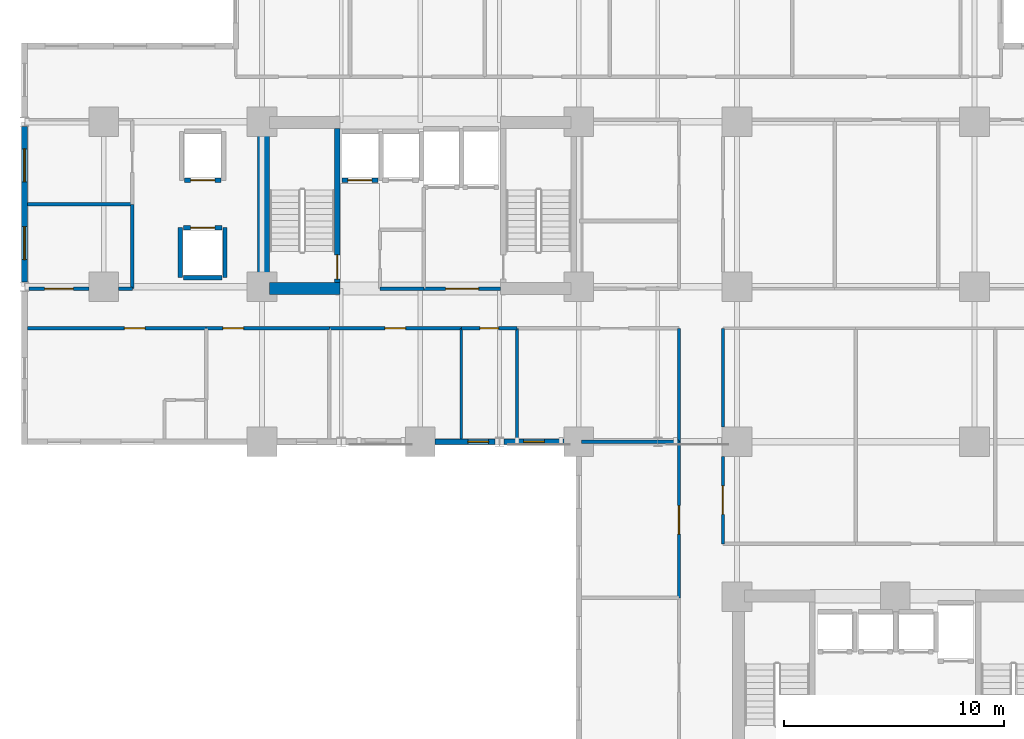
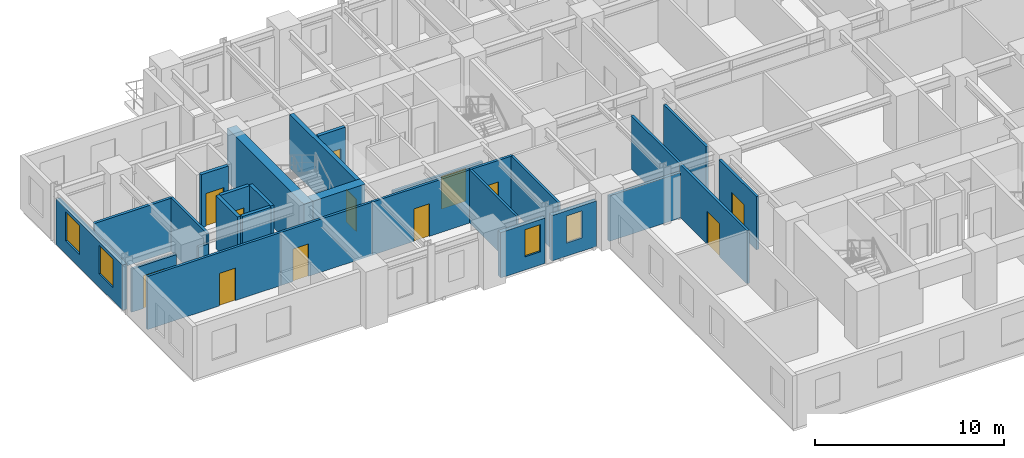
# One storey, part 3 of 11: 29 walls, 12 doors, 4 windows, 16 openings.
"""IFC4 building model written with IfcOpenShell, lengths in metres."""

from ifc_helpers import new_model, si_unit, direction, frame, frame_2d, origin, place, context, subcontext, project, spatial, rectangle, extrude, material, layer, layer_set, type_object, element, fill, save


model = new_model("IFC4")

# Units and contexts
model_context = context("Model", 3, precision=1e-05, world=origin(), true_north=direction((0.0, 1.0)))
body_context = subcontext(model_context, "Body", "Model", "MODEL_VIEW")
ifc_project = project(units=[si_unit("LENGTHUNIT", "METRE"), si_unit("AREAUNIT", "SQUARE_METRE"), si_unit("VOLUMEUNIT", "CUBIC_METRE"), si_unit("PLANEANGLEUNIT", "RADIAN"), si_unit("MASSUNIT", "GRAM", prefix="KILO")], contexts=[model_context])

# Site, building, storey
site_placement = place(None, origin())
site = spatial("IfcSite", under=ifc_project, at=site_placement, CompositionType="ELEMENT")
building_placement = place(site_placement, origin())
building = spatial("IfcBuilding", under=site, at=building_placement, Name="Kaliganga Portal Commons", CompositionType="ELEMENT")
storey_placement = place(building_placement, frame((0.0, 0.0, 66.0)))
storey = spatial("IfcBuildingStorey", under=building, at=storey_placement, Name="L16", CompositionType="ELEMENT", Elevation=66.0)

# Walls
ifc_material_1 = material(Name="Concrete C60/75", Category="concrete")
ifc_layer_1 = layer(ifc_material_1, 0.550048828125)
ifc_layer_set_1 = layer_set([ifc_layer_1], Name="Concrete C60/75")
wall_type_1 = type_object("IfcWallType", Name="WL-CORE-550", PredefinedType="SHEAR", material=ifc_layer_set_1)
wall_1_placement = place(storey_placement, frame((14.47509765625, 28.300048828125, 0.0), z_axis=(0.0, 0.0, 1.0), x_axis=(0.0, 1.0, 0.0)))
element("IfcWall", 1, at=wall_1_placement, inside=storey, type_object=wall_type_1, Name="Core A West Shear Wall L16", PredefinedType="SHEAR", context=body_context, shape_type="SweptSolid", body=[
    extrude(rectangle(XDim=8.099853515625, YDim=0.550048828125, at=frame_2d((4.0498046875, 0.0))), origin(), (0.0, 0.0, 1.0), 3.449951171875),
])
wall_2_placement = place(storey_placement, frame((14.75, 28.574951171875, 0.0), z_axis=(0.0, 0.0, 1.0), x_axis=(1.0, 0.0, 0.0)))
element("IfcWall", 2, at=wall_2_placement, inside=storey, type_object=wall_type_1, Name="Core A S-West Shear Wall L16", PredefinedType="SHEAR", context=body_context, shape_type="SweptSolid", body=[
    extrude(rectangle(XDim=3.199951171875, YDim=0.550048828125, at=frame_2d((1.60009765625, 0.0))), origin(), (0.0, 0.0, 1.0), 3.449951171875),
])

# Wall, openings, windows
ifc_material_2 = material(Name="Insulated Aluminium-Clad Spandrel Assembly", Category="aluminium")
ifc_layer_2 = layer(ifc_material_2, 0.260009765625)
ifc_layer_set_2 = layer_set([ifc_layer_2], Name="Insulated Aluminium-Clad Spandrel Assembly")
wall_type_2 = type_object("IfcWallType", Name="WL-EXT-SPAND-260", PredefinedType="STANDARD", material=ifc_layer_set_2)
wall_3_placement = place(storey_placement, frame((3.60009765625, 28.8740234375, 0.0), z_axis=(0.0, 0.0, 1.0), x_axis=(0.0, 1.0, 0.0)))
wall_3 = element("IfcWall", 3, at=wall_3_placement, inside=storey, type_object=wall_type_2, Name="Exterior Envelope Wall L16 P1-E09-S2", PredefinedType="STANDARD", context=body_context, shape_type="SweptSolid", body=[
    extrude(rectangle(XDim=7.052001953125, YDim=0.260009765625, at=frame_2d((3.52587890625, 0.0))), origin(), (0.0, 0.0, 1.0), 2.929931640625),
])
opening_1_placement = place(wall_3_placement, frame((1.012939453125, 0.0, 0.85009765625)))
opening_1 = element("IfcOpeningElement", 4, at=opening_1_placement, cuts=wall_3, Name="Opening W-02", PredefinedType="OPENING", context=body_context, shape_type="SweptSolid", body=[
    extrude(rectangle(XDim=1.5, YDim=1.85009765625, at=frame_2d((0.75, 0.925048828125))), frame((0.0, 0.14013671875, 0.0), z_axis=(0.0, -1.0, 0.0), x_axis=(1.0, 0.0, 0.0)), (0.0, 0.0, 1.0), 0.280029296875),
])
opening_2_placement = place(wall_3_placement, frame((4.5390625, 0.0, 0.85009765625)))
opening_2 = element("IfcOpeningElement", 5, at=opening_2_placement, cuts=wall_3, Name="Opening W-02", PredefinedType="OPENING", context=body_context, shape_type="SweptSolid", body=[
    extrude(rectangle(XDim=1.5, YDim=1.85009765625, at=frame_2d((0.75, 0.925048828125))), frame((0.0, 0.14013671875, 0.0), z_axis=(0.0, -1.0, 0.0), x_axis=(1.0, 0.0, 0.0)), (0.0, 0.0, 1.0), 0.280029296875),
])
ifc_material_3 = material(Name="Thermally Broken Aluminium and Low-E Double Glazing", Category="aluminium")
window_type_1 = type_object("IfcWindowType", Name="WIN-STD-1500", PartitioningType="DOUBLE_PANEL_VERTICAL", PredefinedType="WINDOW", material=ifc_material_3)
window_1_placement = place(opening_1_placement, origin())
window_1 = element("IfcWindow", 6, at=window_1_placement, inside=storey, type_object=window_type_1, Name="Facade Window L16-P1E09S2-00", OverallHeight=1.85009765625, OverallWidth=1.5, PartitioningType="SINGLE_PANEL", PredefinedType="WINDOW", context=body_context, shape_type="SweptSolid", body=[
    extrude(rectangle(XDim=1.5, YDim=1.85009765625, at=frame_2d((0.75, 0.925048828125))), frame((0.0, 0.030029296875, 0.0), z_axis=(0.0, -1.0, 0.0), x_axis=(1.0, 0.0, 0.0)), (0.0, 0.0, 1.0), 0.06005859375),
])
fill(opening_1, window_1)
window_2_placement = place(opening_2_placement, origin())
window_2 = element("IfcWindow", 7, at=window_2_placement, inside=storey, type_object=window_type_1, Name="Facade Window L16-P1E09S2-01", OverallHeight=1.85009765625, OverallWidth=1.5, PartitioningType="SINGLE_PANEL", PredefinedType="WINDOW", context=body_context, shape_type="SweptSolid", body=[
    extrude(rectangle(XDim=1.5, YDim=1.85009765625, at=frame_2d((0.75, 0.925048828125))), frame((0.0, 0.030029296875, 0.0), z_axis=(0.0, -1.0, 0.0), x_axis=(1.0, 0.0, 0.0)), (0.0, 0.0, 1.0), 0.06005859375),
])
fill(opening_2, window_2)

# Wall, opening, window
wall_4_placement = place(storey_placement, frame((24.990966796875, 21.60009765625, 0.0), z_axis=(0.0, 0.0, 1.0), x_axis=(-1.0, 0.0, 0.0)))
wall_4 = element("IfcWall", 8, at=wall_4_placement, inside=storey, type_object=wall_type_2, Name="Exterior Envelope Wall L16 P1-E10-S4", PredefinedType="STANDARD", context=body_context, shape_type="SweptSolid", body=[
    extrude(rectangle(XDim=2.715087890625, YDim=0.260009765625, at=frame_2d((1.357421875, 0.0))), origin(), (0.0, 0.0, 1.0), 2.929931640625),
])
opening_3_placement = place(wall_4_placement, frame((0.28515625, 0.0, 0.85009765625)))
opening_3 = element("IfcOpeningElement", 9, at=opening_3_placement, cuts=wall_4, Name="Opening W-04", PredefinedType="OPENING", context=body_context, shape_type="SweptSolid", body=[
    extrude(rectangle(XDim=0.949951171875, YDim=1.75, at=frame_2d((0.47509765625, 0.875))), frame((0.0, 0.14013671875, 0.0), z_axis=(0.0, -1.0, 0.0), x_axis=(1.0, 0.0, 0.0)), (0.0, 0.0, 1.0), 0.280029296875),
])
window_type_2 = type_object("IfcWindowType", Name="WIN-NARROW-950", PartitioningType="SINGLE_PANEL", PredefinedType="WINDOW", material=ifc_material_3)
window_3_placement = place(opening_3_placement, origin())
window_3 = element("IfcWindow", 10, at=window_3_placement, inside=storey, type_object=window_type_2, Name="Facade Window L16-P1E10S4-N3", OverallHeight=1.75, OverallWidth=0.949951171875, PartitioningType="SINGLE_PANEL", PredefinedType="WINDOW", context=body_context, shape_type="SweptSolid", body=[
    extrude(rectangle(XDim=0.949951171875, YDim=1.75, at=frame_2d((0.47509765625, 0.875))), frame((0.0, 0.030029296875, 0.0), z_axis=(0.0, -1.0, 0.0), x_axis=(1.0, 0.0, 0.0)), (0.0, 0.0, 1.0), 0.06005859375),
])
fill(opening_3, window_3)

wall_5_placement = place(storey_placement, frame((28.1240234375, 21.60009765625, 0.0), z_axis=(0.0, 0.0, 1.0), x_axis=(-1.0, 0.0, 0.0)))
wall_5 = element("IfcWall", 11, at=wall_5_placement, inside=storey, type_object=wall_type_2, Name="Exterior Envelope Wall L16 P1-E10-S5", PredefinedType="STANDARD", context=body_context, shape_type="SweptSolid", body=[
    extrude(rectangle(XDim=2.715087890625, YDim=0.260009765625, at=frame_2d((1.357421875, 0.0))), origin(), (0.0, 0.0, 1.0), 2.929931640625),
])
opening_4_placement = place(wall_5_placement, frame((0.882568359375, 0.0, 0.85009765625)))
opening_4 = element("IfcOpeningElement", 12, at=opening_4_placement, cuts=wall_5, Name="Opening W-04", PredefinedType="OPENING", context=body_context, shape_type="SweptSolid", body=[
    extrude(rectangle(XDim=0.949951171875, YDim=1.75, at=frame_2d((0.47509765625, 0.875))), frame((0.0, 0.14013671875, 0.0), z_axis=(0.0, -1.0, 0.0), x_axis=(1.0, 0.0, 0.0)), (0.0, 0.0, 1.0), 0.280029296875),
])
window_4_placement = place(opening_4_placement, origin())
window_4 = element("IfcWindow", 13, at=window_4_placement, inside=storey, type_object=window_type_2, Name="Facade Window L16-P1E10S5-00", OverallHeight=1.75, OverallWidth=0.949951171875, PartitioningType="SINGLE_PANEL", PredefinedType="WINDOW", context=body_context, shape_type="SweptSolid", body=[
    extrude(rectangle(XDim=0.949951171875, YDim=1.75, at=frame_2d((0.47509765625, 0.875))), frame((0.0, 0.030029296875, 0.0), z_axis=(0.0, -1.0, 0.0), x_axis=(1.0, 0.0, 0.0)), (0.0, 0.0, 1.0), 0.06005859375),
])
fill(opening_4, window_4)

# Wall, opening, door
ifc_material_4 = material(Name="Fire-Rated Gypsum Board on Steel Stud", Category="steel")
ifc_layer_3 = layer(ifc_material_4, 0.14990234375)
ifc_layer_set_3 = layer_set([ifc_layer_3], Name="Fire-Rated Gypsum Board on Steel Stud")
wall_type_3 = type_object("IfcWallType", Name="WL-PART-CORR-150", PredefinedType="PARTITIONING", material=ifc_layer_set_3)
wall_6_placement = place(storey_placement, frame((35.360107421875, 16.9599609375, 0.0), z_axis=(0.0, 0.0, 1.0), x_axis=(0.0, 1.0, 0.0)))
wall_6 = element("IfcWall", 14, at=wall_6_placement, inside=storey, type_object=wall_type_3, Name="Interior Partition L16-004", PredefinedType="PARTITIONING", context=body_context, shape_type="SweptSolid", body=[
    extrude(rectangle(XDim=3.965087890625, YDim=0.14990234375, at=frame_2d((1.982421875, 0.0))), origin(), (0.0, 0.0, 1.0), 3.429931640625),
])
opening_5_placement = place(wall_6_placement, frame((1.33251953125, 0.0, 0.0)))
opening_5 = element("IfcOpeningElement", 15, at=opening_5_placement, cuts=wall_6, Name="Opening RD-03", PredefinedType="OPENING", context=body_context, shape_type="SweptSolid", body=[
    extrude(rectangle(XDim=1.300048828125, YDim=2.1201171875, at=frame_2d((0.64990234375, 1.06005859375))), frame((0.0, 0.0849609375, 0.0), z_axis=(0.0, -1.0, 0.0), x_axis=(1.0, 0.0, 0.0)), (0.0, 0.0, 1.0), 0.169921875),
])
ifc_material_5 = material(Name="Glazed Timber Seminar Vision Door", Category="wood")
door_type_1 = type_object("IfcDoorType", Name="DR-STUDY-1300", OperationType="DOUBLE_DOOR_SINGLE_SWING", PredefinedType="DOOR", material=ifc_material_5)
door_1_placement = place(opening_5_placement, origin())
door_1 = element("IfcDoor", 16, at=door_1_placement, inside=storey, type_object=door_type_1, Name="Interior Door L16-BM01", OperationType="DOUBLE_DOOR_SINGLE_SWING", OverallHeight=2.1201171875, OverallWidth=1.300048828125, PredefinedType="DOOR", context=body_context, shape_type="SweptSolid", body=[
    extrude(rectangle(XDim=1.300048828125, YDim=2.1201171875, at=frame_2d((0.64990234375, 1.06005859375))), frame((0.0, 0.02490234375, 0.0), z_axis=(0.0, -1.0, 0.0), x_axis=(1.0, 0.0, 0.0)), (0.0, 0.0, 1.0), 0.050048828125),
])
fill(opening_5, door_1)

# Wall
wall_7_placement = place(storey_placement, frame((35.360107421875, 22.27490234375, 0.0), z_axis=(0.0, 0.0, 1.0), x_axis=(0.0, 1.0, 0.0)))
element("IfcWall", 17, at=wall_7_placement, inside=storey, type_object=wall_type_3, Name="Interior Partition L16-005", PredefinedType="PARTITIONING", context=body_context, shape_type="SweptSolid", body=[
    extrude(rectangle(XDim=4.485107421875, YDim=0.14990234375, at=frame_2d((2.24267578125, 0.0))), origin(), (0.0, 0.0, 1.0), 3.429931640625),
])

# Wall, opening, door
wall_8_placement = place(storey_placement, frame((3.73193359375, 26.760009765625, 0.0), z_axis=(0.0, 0.0, 1.0), x_axis=(1.0, 0.0, 0.0)))
wall_8 = element("IfcWall", 18, at=wall_8_placement, inside=storey, type_object=wall_type_3, Name="Interior Partition L16-007", PredefinedType="PARTITIONING", context=body_context, shape_type="SweptSolid", body=[
    extrude(rectangle(XDim=8.128173828125, YDim=0.14990234375, at=frame_2d((4.06396484375, 0.0))), origin(), (0.0, 0.0, 1.0), 3.429931640625),
])
opening_6_placement = place(wall_8_placement, frame((4.40185546875, 0.0, 0.0)))
opening_6 = element("IfcOpeningElement", 19, at=opening_6_placement, cuts=wall_8, Name="Opening UD-01", PredefinedType="OPENING", context=body_context, shape_type="SweptSolid", body=[
    extrude(rectangle(XDim=0.949951171875, YDim=2.10009765625, at=frame_2d((0.47509765625, 1.050048828125))), frame((0.0, 0.0849609375, 0.0), z_axis=(0.0, -1.0, 0.0), x_axis=(1.0, 0.0, 0.0)), (0.0, 0.0, 1.0), 0.169921875),
])
ifc_material_6 = material(Name="Solid-Core Timber Acoustic Fire Door", Category="wood")
door_type_2 = type_object("IfcDoorType", Name="DR-UNIT-950", OperationType="NOTDEFINED", PredefinedType="DOOR", material=ifc_material_6)
door_2_placement = place(opening_6_placement, origin())
door_2 = element("IfcDoor", 20, at=door_2_placement, inside=storey, type_object=door_type_2, Name="Interior Door L16-AS01", OperationType="SINGLE_SWING_LEFT", OverallHeight=2.10009765625, OverallWidth=0.949951171875, PredefinedType="DOOR", context=body_context, shape_type="SweptSolid", body=[
    extrude(rectangle(XDim=0.949951171875, YDim=2.10009765625, at=frame_2d((0.47509765625, 1.050048828125))), frame((0.0, 0.02490234375, 0.0), z_axis=(0.0, -1.0, 0.0), x_axis=(1.0, 0.0, 0.0)), (0.0, 0.0, 1.0), 0.050048828125),
])
fill(opening_6, door_2)

wall_9_placement = place(storey_placement, frame((33.360107421875, 14.5, 0.0), z_axis=(0.0, 0.0, 1.0), x_axis=(0.0, 1.0, 0.0)))
wall_9 = element("IfcWall", 21, at=wall_9_placement, inside=storey, type_object=wall_type_3, Name="Interior Partition L16-014", PredefinedType="PARTITIONING", context=body_context, shape_type="SweptSolid", body=[
    extrude(rectangle(XDim=7.10009765625, YDim=0.14990234375, at=frame_2d((3.550048828125, 0.0))), origin(), (0.0, 0.0, 1.0), 3.429931640625),
])
opening_7_placement = place(wall_9_placement, frame((2.89990234375, 0.0, 0.0)))
opening_7 = element("IfcOpeningElement", 22, at=opening_7_placement, cuts=wall_9, Name="Opening RD-03", PredefinedType="OPENING", context=body_context, shape_type="SweptSolid", body=[
    extrude(rectangle(XDim=1.300048828125, YDim=2.1201171875, at=frame_2d((0.64990234375, 1.06005859375))), frame((0.0, 0.0849609375, 0.0), z_axis=(0.0, -1.0, 0.0), x_axis=(1.0, 0.0, 0.0)), (0.0, 0.0, 1.0), 0.169921875),
])
door_3_placement = place(opening_7_placement, origin())
door_3 = element("IfcDoor", 23, at=door_3_placement, inside=storey, type_object=door_type_1, Name="Interior Door L16-KW02", OperationType="DOUBLE_DOOR_SINGLE_SWING", OverallHeight=2.1201171875, OverallWidth=1.300048828125, PredefinedType="DOOR", context=body_context, shape_type="SweptSolid", body=[
    extrude(rectangle(XDim=1.300048828125, YDim=2.1201171875, at=frame_2d((0.64990234375, 1.06005859375))), frame((0.0, 0.02490234375, 0.0), z_axis=(0.0, -1.0, 0.0), x_axis=(1.0, 0.0, 0.0)), (0.0, 0.0, 1.0), 0.050048828125),
])
fill(opening_7, door_3)

wall_10_placement = place(storey_placement, frame((17.4599609375, 26.760009765625, 0.0), z_axis=(0.0, 0.0, 1.0), x_axis=(1.0, 0.0, 0.0)))
wall_10 = element("IfcWall", 24, at=wall_10_placement, inside=storey, type_object=wall_type_3, Name="Interior Partition L16-022", PredefinedType="PARTITIONING", context=body_context, shape_type="SweptSolid", body=[
    extrude(rectangle(XDim=6.0, YDim=0.14990234375, at=frame_2d((3.0, 0.0))), origin(), (0.0, 0.0, 1.0), 3.429931640625),
])
opening_8_placement = place(wall_10_placement, frame((2.52490234375, 0.0, 0.0)))
opening_8 = element("IfcOpeningElement", 25, at=opening_8_placement, cuts=wall_10, Name="Opening UD-01", PredefinedType="OPENING", context=body_context, shape_type="SweptSolid", body=[
    extrude(rectangle(XDim=0.949951171875, YDim=2.10009765625, at=frame_2d((0.47509765625, 1.050048828125))), frame((0.0, 0.0849609375, 0.0), z_axis=(0.0, -1.0, 0.0), x_axis=(1.0, 0.0, 0.0)), (0.0, 0.0, 1.0), 0.169921875),
])
door_4_placement = place(opening_8_placement, origin())
door_4 = element("IfcDoor", 26, at=door_4_placement, inside=storey, type_object=door_type_2, Name="Interior Door L16-AS03", OperationType="SINGLE_SWING_LEFT", OverallHeight=2.10009765625, OverallWidth=0.949951171875, PredefinedType="DOOR", context=body_context, shape_type="SweptSolid", body=[
    extrude(rectangle(XDim=0.949951171875, YDim=2.10009765625, at=frame_2d((0.47509765625, 1.050048828125))), frame((0.0, 0.02490234375, 0.0), z_axis=(0.0, -1.0, 0.0), x_axis=(1.0, 0.0, 0.0)), (0.0, 0.0, 1.0), 0.050048828125),
])
fill(opening_8, door_4)

wall_11_placement = place(storey_placement, frame((11.860107421875, 26.760009765625, 0.0), z_axis=(0.0, 0.0, 1.0), x_axis=(1.0, 0.0, 0.0)))
wall_11 = element("IfcWall", 27, at=wall_11_placement, inside=storey, type_object=wall_type_3, Name="Interior Partition L16-025", PredefinedType="PARTITIONING", context=body_context, shape_type="SweptSolid", body=[
    extrude(rectangle(XDim=5.599853515625, YDim=0.14990234375, at=frame_2d((2.7998046875, 0.0))), origin(), (0.0, 0.0, 1.0), 3.429931640625),
])
opening_9_placement = place(wall_11_placement, frame((0.757080078125, 0.0, 0.0)))
opening_9 = element("IfcOpeningElement", 28, at=opening_9_placement, cuts=wall_11, Name="Opening UD-01", PredefinedType="OPENING", context=body_context, shape_type="SweptSolid", body=[
    extrude(rectangle(XDim=0.949951171875, YDim=2.10009765625, at=frame_2d((0.47509765625, 1.050048828125))), frame((0.0, 0.0849609375, 0.0), z_axis=(0.0, -1.0, 0.0), x_axis=(1.0, 0.0, 0.0)), (0.0, 0.0, 1.0), 0.169921875),
])
door_5_placement = place(opening_9_placement, origin())
door_5 = element("IfcDoor", 29, at=door_5_placement, inside=storey, type_object=door_type_2, Name="Interior Door L16-AS02", OperationType="SINGLE_SWING_RIGHT", OverallHeight=2.10009765625, OverallWidth=0.949951171875, PredefinedType="DOOR", context=body_context, shape_type="SweptSolid", body=[
    extrude(rectangle(XDim=0.949951171875, YDim=2.10009765625, at=frame_2d((0.47509765625, 1.050048828125))), frame((0.0, 0.02490234375, 0.0), z_axis=(0.0, -1.0, 0.0), x_axis=(1.0, 0.0, 0.0)), (0.0, 0.0, 1.0), 0.050048828125),
])
fill(opening_9, door_5)

# Wall
wall_12_placement = place(storey_placement, frame((33.360107421875, 21.60009765625, 0.0), z_axis=(0.0, 0.0, 1.0), x_axis=(0.0, 1.0, 0.0)))
element("IfcWall", 30, at=wall_12_placement, inside=storey, type_object=wall_type_3, Name="Interior Partition L16-027", PredefinedType="PARTITIONING", context=body_context, shape_type="SweptSolid", body=[
    extrude(rectangle(XDim=5.159912109375, YDim=0.14990234375, at=frame_2d((2.580078125, 0.0))), origin(), (0.0, 0.0, 1.0), 3.429931640625),
])

# Wall, opening, door
wall_13_placement = place(storey_placement, frame((3.80810546875, 28.56005859375, 0.0), z_axis=(0.0, 0.0, 1.0), x_axis=(1.0, 0.0, 0.0)))
wall_13 = element("IfcWall", 31, at=wall_13_placement, inside=storey, type_object=wall_type_3, Name="Interior Partition L16-029", PredefinedType="PARTITIONING", context=body_context, shape_type="SweptSolid", body=[
    extrude(rectangle(XDim=2.716796875, YDim=0.14990234375, at=frame_2d((1.3583984375, 0.0))), origin(), (0.0, 0.0, 1.0), 2.780029296875),
])
opening_10_placement = place(wall_13_placement, frame((0.70849609375, 0.0, 0.0)))
opening_10 = element("IfcOpeningElement", 32, at=opening_10_placement, cuts=wall_13, Name="Opening RD-03", PredefinedType="OPENING", context=body_context, shape_type="SweptSolid", body=[
    extrude(rectangle(XDim=1.300048828125, YDim=2.1201171875, at=frame_2d((0.64990234375, 1.06005859375))), frame((0.0, 0.0849609375, 0.0), z_axis=(0.0, -1.0, 0.0), x_axis=(1.0, 0.0, 0.0)), (0.0, 0.0, 1.0), 0.169921875),
])
door_6_placement = place(opening_10_placement, origin())
door_6 = element("IfcDoor", 33, at=door_6_placement, inside=storey, type_object=door_type_1, Name="Interior Door L16-AW01", OperationType="DOUBLE_DOOR_SINGLE_SWING", OverallHeight=2.1201171875, OverallWidth=1.300048828125, PredefinedType="DOOR", context=body_context, shape_type="SweptSolid", body=[
    extrude(rectangle(XDim=1.300048828125, YDim=2.1201171875, at=frame_2d((0.64990234375, 1.06005859375))), frame((0.0, 0.02490234375, 0.0), z_axis=(0.0, -1.0, 0.0), x_axis=(1.0, 0.0, 0.0)), (0.0, 0.0, 1.0), 0.050048828125),
])
fill(opening_10, door_6)

# Walls
wall_14_placement = place(storey_placement, frame((7.875, 28.56005859375, 0.0), z_axis=(0.0, 0.0, 1.0), x_axis=(1.0, 0.0, 0.0)))
element("IfcWall", 34, at=wall_14_placement, inside=storey, type_object=wall_type_3, Name="Interior Partition L16-030", PredefinedType="PARTITIONING", context=body_context, shape_type="SweptSolid", body=[
    extrude(rectangle(XDim=0.625, YDim=0.14990234375, at=frame_2d((0.3125, 0.0))), origin(), (0.0, 0.0, 1.0), 2.780029296875),
])
wall_15_placement = place(storey_placement, frame((8.5, 28.56005859375, 0.0), z_axis=(0.0, 0.0, 1.0), x_axis=(0.0, 1.0, 0.0)))
element("IfcWall", 35, at=wall_15_placement, inside=storey, type_object=wall_type_3, Name="Interior Partition L16-040", PredefinedType="PARTITIONING", context=body_context, shape_type="SweptSolid", body=[
    extrude(rectangle(XDim=3.83984375, YDim=0.14990234375, at=frame_2d((1.919921875, 0.0))), origin(), (0.0, 0.0, 1.0), 3.429931640625),
])

# Wall, opening, door
wall_16_placement = place(storey_placement, frame((23.4599609375, 26.760009765625, 0.0), z_axis=(0.0, 0.0, 1.0), x_axis=(1.0, 0.0, 0.0)))
wall_16 = element("IfcWall", 36, at=wall_16_placement, inside=storey, type_object=wall_type_3, Name="Interior Partition L16-044", PredefinedType="PARTITIONING", context=body_context, shape_type="SweptSolid", body=[
    extrude(rectangle(XDim=2.5400390625, YDim=0.14990234375, at=frame_2d((1.27001953125, 0.0))), origin(), (0.0, 0.0, 1.0), 3.429931640625),
])
opening_11_placement = place(wall_16_placement, frame((0.844970703125, 0.0, 0.0)))
opening_11 = element("IfcOpeningElement", 37, at=opening_11_placement, cuts=wall_16, Name="Opening WD-01", PredefinedType="OPENING", context=body_context, shape_type="SweptSolid", body=[
    extrude(rectangle(XDim=0.85009765625, YDim=2.0400390625, at=frame_2d((0.425048828125, 1.02001953125))), frame((0.0, 0.0849609375, 0.0), z_axis=(0.0, -1.0, 0.0), x_axis=(1.0, 0.0, 0.0)), (0.0, 0.0, 1.0), 0.169921875),
])
ifc_material_7 = material(Name="Moisture-Resistant Laminate Timber Door", Category="wood")
door_type_3 = type_object("IfcDoorType", Name="DR-WET-850", OperationType="NOTDEFINED", PredefinedType="DOOR", material=ifc_material_7)
door_7_placement = place(opening_11_placement, origin())
door_7 = element("IfcDoor", 38, at=door_7_placement, inside=storey, type_object=door_type_3, Name="Interior Door L16-AS04", OperationType="SINGLE_SWING_LEFT", OverallHeight=2.0400390625, OverallWidth=0.85009765625, PredefinedType="DOOR", context=body_context, shape_type="SweptSolid", body=[
    extrude(rectangle(XDim=0.85009765625, YDim=2.0400390625, at=frame_2d((0.425048828125, 1.02001953125))), frame((0.0, 0.02490234375, 0.0), z_axis=(0.0, -1.0, 0.0), x_axis=(1.0, 0.0, 0.0)), (0.0, 0.0, 1.0), 0.050048828125),
])
fill(opening_11, door_7)

# Wall
wall_17_placement = place(storey_placement, frame((19.760009765625, 28.56005859375, 0.0), z_axis=(0.0, 0.0, 1.0), x_axis=(1.0, 0.0, 0.0)))
element("IfcWall", 39, at=wall_17_placement, inside=storey, type_object=wall_type_3, Name="Interior Partition L16-045", PredefinedType="PARTITIONING", context=body_context, shape_type="SweptSolid", body=[
    extrude(rectangle(XDim=2.0, YDim=0.14990234375, at=frame_2d((1.0, 0.0))), origin(), (0.0, 0.0, 1.0), 2.22998046875),
])

# Wall, opening, door
wall_18_placement = place(storey_placement, frame((21.760009765625, 28.56005859375, 0.0), z_axis=(0.0, 0.0, 1.0), x_axis=(1.0, 0.0, 0.0)))
wall_18 = element("IfcWall", 40, at=wall_18_placement, inside=storey, type_object=wall_type_3, Name="Interior Partition L16-080", PredefinedType="PARTITIONING", context=body_context, shape_type="SweptSolid", body=[
    extrude(rectangle(XDim=3.47998046875, YDim=0.14990234375, at=frame_2d((1.739990234375, 0.0))), origin(), (0.0, 0.0, 1.0), 2.22998046875),
])
opening_12_placement = place(wall_18_placement, frame((0.989990234375, 0.0, 0.0)))
opening_12 = element("IfcOpeningElement", 41, at=opening_12_placement, cuts=wall_18, Name="Opening FD-01", PredefinedType="OPENING", context=body_context, shape_type="SweptSolid", body=[
    extrude(rectangle(XDim=1.5, YDim=2.10009765625, at=frame_2d((0.75, 1.050048828125))), frame((0.0, 0.0849609375, 0.0), z_axis=(0.0, -1.0, 0.0), x_axis=(1.0, 0.0, 0.0)), (0.0, 0.0, 1.0), 0.169921875),
])
ifc_material_8 = material(Name="Fire-Rated Hardwood and Georgian-Wired Vision Panel", Category="wood")
door_type_4 = type_object("IfcDoorType", Name="DR-LOBBY-1500", OperationType="DOUBLE_DOOR_SINGLE_SWING", PredefinedType="DOOR", material=ifc_material_8)
door_8_placement = place(opening_12_placement, origin())
door_8 = element("IfcDoor", 42, at=door_8_placement, inside=storey, type_object=door_type_4, Name="Interior Door L16-FFLOB_A", OperationType="DOUBLE_DOOR_SINGLE_SWING", OverallHeight=2.10009765625, OverallWidth=1.5, PredefinedType="DOOR", context=body_context, shape_type="SweptSolid", body=[
    extrude(rectangle(XDim=1.5, YDim=2.10009765625, at=frame_2d((0.75, 1.050048828125))), frame((0.0, 0.02490234375, 0.0), z_axis=(0.0, -1.0, 0.0), x_axis=(1.0, 0.0, 0.0)), (0.0, 0.0, 1.0), 0.050048828125),
])
fill(opening_12, door_8)

# Walls
ifc_material_9 = material(Name="Twin-Stud Acoustic Gypsum Partition", Category="gypsum")
ifc_layer_4 = layer(ifc_material_9, 0.1650390625)
ifc_layer_set_4 = layer_set([ifc_layer_4], Name="Twin-Stud Acoustic Gypsum Partition")
wall_type_4 = type_object("IfcWallType", Name="WL-PART-UNIT-165", PredefinedType="PARTITIONING", material=ifc_layer_set_4)
wall_19_placement = place(storey_placement, frame((3.73193359375, 32.39990234375, 0.0), z_axis=(0.0, 0.0, 1.0), x_axis=(1.0, 0.0, 0.0)))
element("IfcWall", 43, at=wall_19_placement, inside=storey, type_object=wall_type_4, Name="Interior Partition L16-070", PredefinedType="PARTITIONING", context=body_context, shape_type="SweptSolid", body=[
    extrude(rectangle(XDim=4.76806640625, YDim=0.1650390625, at=frame_2d((2.384033203125, 0.0))), origin(), (0.0, 0.0, 1.0), 3.429931640625),
])
wall_20_placement = place(storey_placement, frame((28.931884765625, 21.60009765625, 0.0), z_axis=(0.0, 0.0, 1.0), x_axis=(1.0, 0.0, 0.0)))
element("IfcWall", 44, at=wall_20_placement, inside=storey, type_object=wall_type_4, Name="Interior Partition L16-075", PredefinedType="PARTITIONING", context=body_context, shape_type="SweptSolid", body=[
    extrude(rectangle(XDim=4.42822265625, YDim=0.1650390625, at=frame_2d((2.214111328125, 0.0))), origin(), (0.0, 0.0, 1.0), 2.929931640625),
])
ifc_material_10 = material(Name="Cement-Board Wet-Room Partition", Category="gypsum")
ifc_layer_5 = layer(ifc_material_10, 0.135009765625)
ifc_layer_set_5 = layer_set([ifc_layer_5], Name="Cement-Board Wet-Room Partition")
wall_type_5 = type_object("IfcWallType", Name="WL-PART-WET-135", PredefinedType="PARTITIONING", material=ifc_layer_set_5)
for number, where, z_axis, x_axis, name in (
    (45, (23.4599609375, 21.73193359375, 0.0), (0.0, 0.0, 1.0), (0.0, 1.0, 0.0), "Interior Partition L16-060"),
    (46, (26.0, 21.73193359375, 0.0), (0.0, 0.0, 1.0), (0.0, 1.0, 0.0), "Interior Partition L16-061"),
):
    element("IfcWall", number, at=place(storey_placement, frame(where, z_axis=z_axis, x_axis=x_axis)), inside=storey, type_object=wall_type_5, Name=name, PredefinedType="PARTITIONING", context=body_context, shape_type="SweptSolid", body=[
        extrude(rectangle(XDim=5.028076171875, YDim=0.135009765625, at=frame_2d((2.51416015625, 0.0))), origin(), (0.0, 0.0, 1.0), 3.429931640625),
    ])

# Wall, opening, door
ifc_material_11 = material(Name="Fire-Rated Shaftwall Masonry Assembly", Category="masonry")
ifc_layer_6 = layer(ifc_material_11, 0.199951171875)
ifc_layer_set_6 = layer_set([ifc_layer_6], Name="Fire-Rated Shaftwall Masonry Assembly")
wall_type_6 = type_object("IfcWallType", Name="WL-SHAFT-200", PredefinedType="PARTITIONING", material=ifc_layer_set_6)
wall_21_placement = place(storey_placement, frame((18.02490234375, 33.485107421875, 0.0), z_axis=(0.0, 0.0, 1.0), x_axis=(1.0, 0.0, 0.0)))
wall_21 = element("IfcWall", 47, at=wall_21_placement, inside=storey, type_object=wall_type_6, Name="Lift PL-A1 Hoistway Shaft Wall L16-S", PredefinedType="PARTITIONING", context=body_context, shape_type="SweptSolid", body=[
    extrude(rectangle(XDim=1.650146484375, YDim=0.199951171875, at=frame_2d((0.8251953125, 0.0))), origin(), (0.0, 0.0, 1.0), 3.429931640625),
])
opening_13_placement = place(wall_21_placement, frame((0.27490234375, 0.0, 0.0)))
opening_13 = element("IfcOpeningElement", 48, at=opening_13_placement, cuts=wall_21, Name="Opening LD-01", PredefinedType="OPENING", context=body_context, shape_type="SweptSolid", body=[
    extrude(rectangle(XDim=1.10009765625, YDim=2.1201171875, at=frame_2d((0.550048828125, 1.06005859375))), frame((0.0, 0.10986328125, 0.0), z_axis=(0.0, -1.0, 0.0), x_axis=(1.0, 0.0, 0.0)), (0.0, 0.0, 1.0), 0.219970703125),
])
ifc_material_12 = material(Name="Brushed Stainless Steel 316 Lift Landing Door", Category="steel")
door_type_5 = type_object("IfcDoorType", Name="DR-LIFT-1100", OperationType="SLIDING_TO_LEFT", PredefinedType="DOOR", material=ifc_material_12)
door_9_placement = place(opening_13_placement, origin())
door_9 = element("IfcDoor", 49, at=door_9_placement, inside=storey, type_object=door_type_5, Name="Lift PL-A1 Sliding Landing Door L16", OperationType="SLIDING_TO_LEFT", OverallHeight=2.1201171875, OverallWidth=1.10009765625, PredefinedType="DOOR", context=body_context, shape_type="SweptSolid", body=[
    extrude(rectangle(XDim=1.10009765625, YDim=2.1201171875, at=frame_2d((0.550048828125, 1.06005859375))), frame((0.0, 0.02490234375, 0.0), z_axis=(0.0, -1.0, 0.0), x_axis=(1.0, 0.0, 0.0)), (0.0, 0.0, 1.0), 0.050048828125),
])
fill(opening_13, door_9)

# Wall
wall_22_placement = place(storey_placement, frame((10.824951171875, 29.06005859375, 0.0), z_axis=(0.0, 0.0, 1.0), x_axis=(1.0, 0.0, 0.0)))
element("IfcWall", 50, at=wall_22_placement, inside=storey, type_object=wall_type_6, Name="Lift SH-1 Hoistway Shaft Wall L16-S", PredefinedType="PARTITIONING", context=body_context, shape_type="SweptSolid", body=[
    extrude(rectangle(XDim=1.75, YDim=0.199951171875, at=frame_2d((0.875, 0.0))), origin(), (0.0, 0.0, 1.0), 3.429931640625),
])

# Wall, opening, door
wall_23_placement = place(storey_placement, frame((10.824951171875, 31.340087890625, 0.0), z_axis=(0.0, 0.0, 1.0), x_axis=(1.0, 0.0, 0.0)))
wall_23 = element("IfcWall", 51, at=wall_23_placement, inside=storey, type_object=wall_type_6, Name="Lift SH-1 Hoistway Shaft Wall L16-N", PredefinedType="PARTITIONING", context=body_context, shape_type="SweptSolid", body=[
    extrude(rectangle(XDim=1.75, YDim=0.199951171875, at=frame_2d((0.875, 0.0))), origin(), (0.0, 0.0, 1.0), 3.429931640625),
])
opening_14_placement = place(wall_23_placement, frame((0.324951171875, 0.0, 0.0)))
opening_14 = element("IfcOpeningElement", 52, at=opening_14_placement, cuts=wall_23, Name="Opening LD-01", PredefinedType="OPENING", context=body_context, shape_type="SweptSolid", body=[
    extrude(rectangle(XDim=1.10009765625, YDim=2.1201171875, at=frame_2d((0.550048828125, 1.06005859375))), frame((0.0, 0.10986328125, 0.0), z_axis=(0.0, -1.0, 0.0), x_axis=(1.0, 0.0, 0.0)), (0.0, 0.0, 1.0), 0.219970703125),
])
door_10_placement = place(opening_14_placement, origin())
door_10 = element("IfcDoor", 53, at=door_10_placement, inside=storey, type_object=door_type_5, Name="Lift SH-1 Sliding Landing Door L16", OperationType="SLIDING_TO_LEFT", OverallHeight=2.1201171875, OverallWidth=1.10009765625, PredefinedType="DOOR", context=body_context, shape_type="SweptSolid", body=[
    extrude(rectangle(XDim=1.10009765625, YDim=2.1201171875, at=frame_2d((0.550048828125, 1.06005859375))), frame((0.0, 0.02490234375, 0.0), z_axis=(0.0, -1.0, 0.0), x_axis=(1.0, 0.0, 0.0)), (0.0, 0.0, 1.0), 0.050048828125),
])
fill(opening_14, door_10)

# Walls
for number, where, z_axis, x_axis, name in (
    (54, (10.68505859375, 29.06005859375, 0.0), (0.0, 0.0, 1.0), (0.0, 1.0, 0.0), "Lift SH-1 Hoistway Shaft Wall L16-W"),
    (55, (12.715087890625, 29.06005859375, 0.0), (0.0, 0.0, 1.0), (0.0, 1.0, 0.0), "Lift SH-1 Hoistway Shaft Wall L16-E"),
):
    element("IfcWall", number, at=place(storey_placement, frame(where, z_axis=z_axis, x_axis=x_axis)), inside=storey, type_object=wall_type_6, Name=name, PredefinedType="PARTITIONING", context=body_context, shape_type="SweptSolid", body=[
        extrude(rectangle(XDim=2.280029296875, YDim=0.199951171875, at=frame_2d((1.14013671875, 0.0))), origin(), (0.0, 0.0, 1.0), 3.429931640625),
    ])

# Wall, opening, door
wall_24_placement = place(storey_placement, frame((10.875, 33.485107421875, 0.0), z_axis=(0.0, 0.0, 1.0), x_axis=(1.0, 0.0, 0.0)))
wall_24 = element("IfcWall", 56, at=wall_24_placement, inside=storey, type_object=wall_type_6, Name="Lift PL-OBS Hoistway Shaft Wall L16-S", PredefinedType="PARTITIONING", context=body_context, shape_type="SweptSolid", body=[
    extrude(rectangle(XDim=1.64990234375, YDim=0.199951171875, at=frame_2d((0.824951171875, 0.0))), origin(), (0.0, 0.0, 1.0), 3.429931640625),
])
opening_15_placement = place(wall_24_placement, frame((0.27490234375, 0.0, 0.0)))
opening_15 = element("IfcOpeningElement", 57, at=opening_15_placement, cuts=wall_24, Name="Opening LD-01", PredefinedType="OPENING", context=body_context, shape_type="SweptSolid", body=[
    extrude(rectangle(XDim=1.10009765625, YDim=2.1201171875, at=frame_2d((0.550048828125, 1.06005859375))), frame((0.0, 0.10986328125, 0.0), z_axis=(0.0, -1.0, 0.0), x_axis=(1.0, 0.0, 0.0)), (0.0, 0.0, 1.0), 0.219970703125),
])
door_11_placement = place(opening_15_placement, origin())
door_11 = element("IfcDoor", 58, at=door_11_placement, inside=storey, type_object=door_type_5, Name="Lift PL-OBS Sliding Landing Door L16", OperationType="SLIDING_TO_LEFT", OverallHeight=2.1201171875, OverallWidth=1.10009765625, PredefinedType="DOOR", context=body_context, shape_type="SweptSolid", body=[
    extrude(rectangle(XDim=1.10009765625, YDim=2.1201171875, at=frame_2d((0.550048828125, 1.06005859375))), frame((0.0, 0.02490234375, 0.0), z_axis=(0.0, -1.0, 0.0), x_axis=(1.0, 0.0, 0.0)), (0.0, 0.0, 1.0), 0.050048828125),
])
fill(opening_15, door_11)

ifc_material_13 = material(Name="Concrete C50/60", Category="concrete")
ifc_layer_7 = layer(ifc_material_13, 0.25)
ifc_layer_set_7 = layer_set([ifc_layer_7], Name="Concrete C50/60")
wall_type_7 = type_object("IfcWallType", Name="WL-STAIR-250", PredefinedType="SHEAR", material=ifc_layer_set_7)
wall_25_placement = place(storey_placement, frame((17.824951171875, 28.85009765625, 0.0), z_axis=(0.0, 0.0, 1.0), x_axis=(0.0, 1.0, 0.0)))
wall_25 = element("IfcWall", 59, at=wall_25_placement, inside=storey, type_object=wall_type_7, Name="Stair A1 Enclosure Shear Wall L16", PredefinedType="SHEAR", context=body_context, shape_type="SweptSolid", body=[
    extrude(rectangle(XDim=7.0, YDim=0.25, at=frame_2d((3.5, 0.0))), origin(), (0.0, 0.0, 1.0), 3.449951171875),
])
opening_16_placement = place(wall_25_placement, frame((0.14990234375, 0.0, 0.0)))
opening_16 = element("IfcOpeningElement", 60, at=opening_16_placement, cuts=wall_25, Name="Opening SD-01", PredefinedType="OPENING", context=body_context, shape_type="SweptSolid", body=[
    extrude(rectangle(XDim=1.10009765625, YDim=2.080078125, at=frame_2d((0.550048828125, 1.0400390625))), frame((0.0, 0.135009765625, 0.0), z_axis=(0.0, -1.0, 0.0), x_axis=(1.0, 0.0, 0.0)), (0.0, 0.0, 1.0), 0.27001953125),
])
ifc_material_14 = material(Name="Galvanized Steel Fire Door Leaf and Frame", Category="steel")
door_type_6 = type_object("IfcDoorType", Name="DR-STAIR-1100", OperationType="NOTDEFINED", PredefinedType="DOOR", material=ifc_material_14)
door_12_placement = place(opening_16_placement, origin())
door_12 = element("IfcDoor", 61, at=door_12_placement, inside=storey, type_object=door_type_6, Name="Protected Stair ST-A1 Fire Door L16", OperationType="SINGLE_SWING_RIGHT", OverallHeight=2.080078125, OverallWidth=1.10009765625, PredefinedType="DOOR", context=body_context, shape_type="SweptSolid", body=[
    extrude(rectangle(XDim=1.10009765625, YDim=2.080078125, at=frame_2d((0.550048828125, 1.0400390625))), frame((0.0, 0.02490234375, 0.0), z_axis=(0.0, -1.0, 0.0), x_axis=(1.0, 0.0, 0.0)), (0.0, 0.0, 1.0), 0.050048828125),
])
fill(opening_16, door_12)

save(model, "model.ifc")
